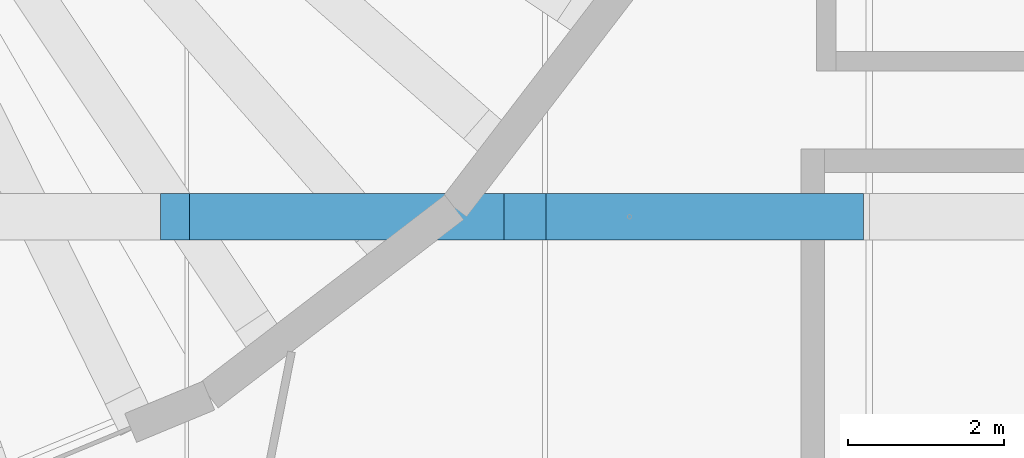
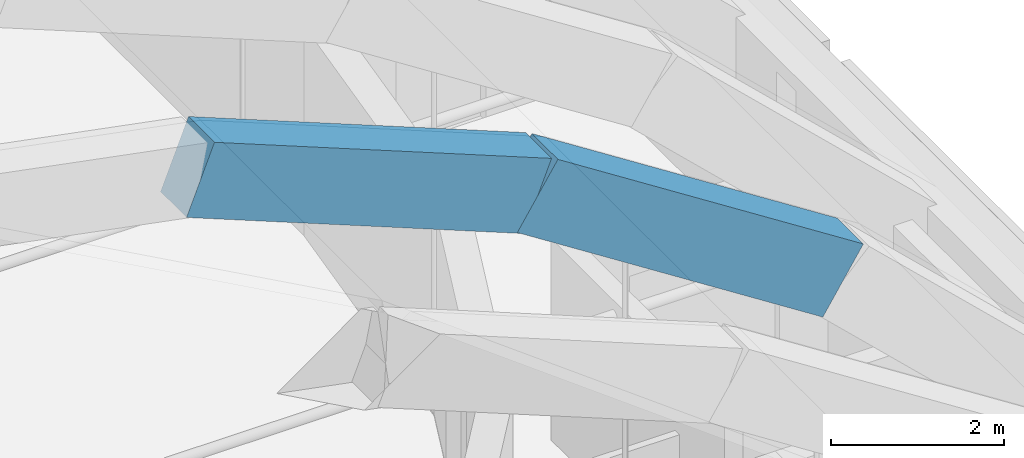
# One storey, part 36 of 94: 2 beams.
"""IFC4 building model written with IfcOpenShell, lengths in metres."""

from ifc_helpers import new_model, si_unit, direction, frame, origin, origin_2d, place, context, subcontext, project, spatial, rectangle, extrude, material, material_profile, profile_set, type_object, element, save


model = new_model("IFC4")

# Units and contexts
model_context = context("Model", 3, precision=1e-05, world=origin(), true_north=direction((0.0, 1.0)))
body_context = subcontext(model_context, "Body", "Model", "MODEL_VIEW")
ifc_project = project(units=[si_unit("LENGTHUNIT", "METRE"), si_unit("AREAUNIT", "SQUARE_METRE"), si_unit("VOLUMEUNIT", "CUBIC_METRE"), si_unit("PLANEANGLEUNIT", "RADIAN"), si_unit("MASSUNIT", "GRAM", prefix="KILO")], contexts=[model_context])

# Site, building, storey
site_placement = place(None, origin())
site = spatial("IfcSite", under=ifc_project, at=site_placement, CompositionType="ELEMENT")
building_placement = place(site_placement, origin())
building = spatial("IfcBuilding", under=site, at=building_placement, Name="Lunette Opera House", CompositionType="ELEMENT")
storey_placement = place(building_placement, frame((0.0, 0.0, 22.5)))
storey = spatial("IfcBuildingStorey", under=building, at=storey_placement, Name="L04", CompositionType="ELEMENT", Elevation=22.5)

# Beams
ifc_material = material(Name="Concrete C40/50", Category="concrete")
ifc_material_profile = material_profile(ifc_material, rectangle(XDim=0.60009765625, YDim=1.0, at=origin_2d()), Name="ARCH BEAM 600X1000")
ifc_profile_set = profile_set([ifc_material_profile], Name="Concrete C40/50")
beam_type = type_object("IfcBeamType", Name="ARCH BEAM 600X1000", PredefinedType="BEAM", material=ifc_profile_set)
beam_1_placement = place(storey_placement, frame((103.1689453125, 73.12890625, 10.346923828125), z_axis=(0.92830257193, 0.0, -0.371825678172), x_axis=(0.0, 1.0, 0.0)))
element("IfcBeam", 1, at=beam_1_placement, inside=storey, type_object=beam_type, Name="beam-AU-L04-EA3-7", PredefinedType="BEAM", context=body_context, shape_type="SweptSolid", body=[
    extrude(rectangle(XDim=0.60009765625, YDim=1.0, at=origin_2d()), origin(), (0.0, 0.0, 1.0), 4.837890625),
])
beam_2_placement = place(storey_placement, frame((107.659912109375, 73.12890625, 8.548095703125), z_axis=(0.84120306647, 0.0, -0.54071933659), x_axis=(0.0, 1.0, 0.0)))
element("IfcBeam", 2, at=beam_2_placement, inside=storey, type_object=beam_type, Name="beam-AU-L04-EA3-8", PredefinedType="BEAM", context=body_context, shape_type="SweptSolid", body=[
    extrude(rectangle(XDim=0.60009765625, YDim=1.0, at=origin_2d()), origin(), (0.0, 0.0, 1.0), 4.83837890625),
])

save(model, "model.ifc")
